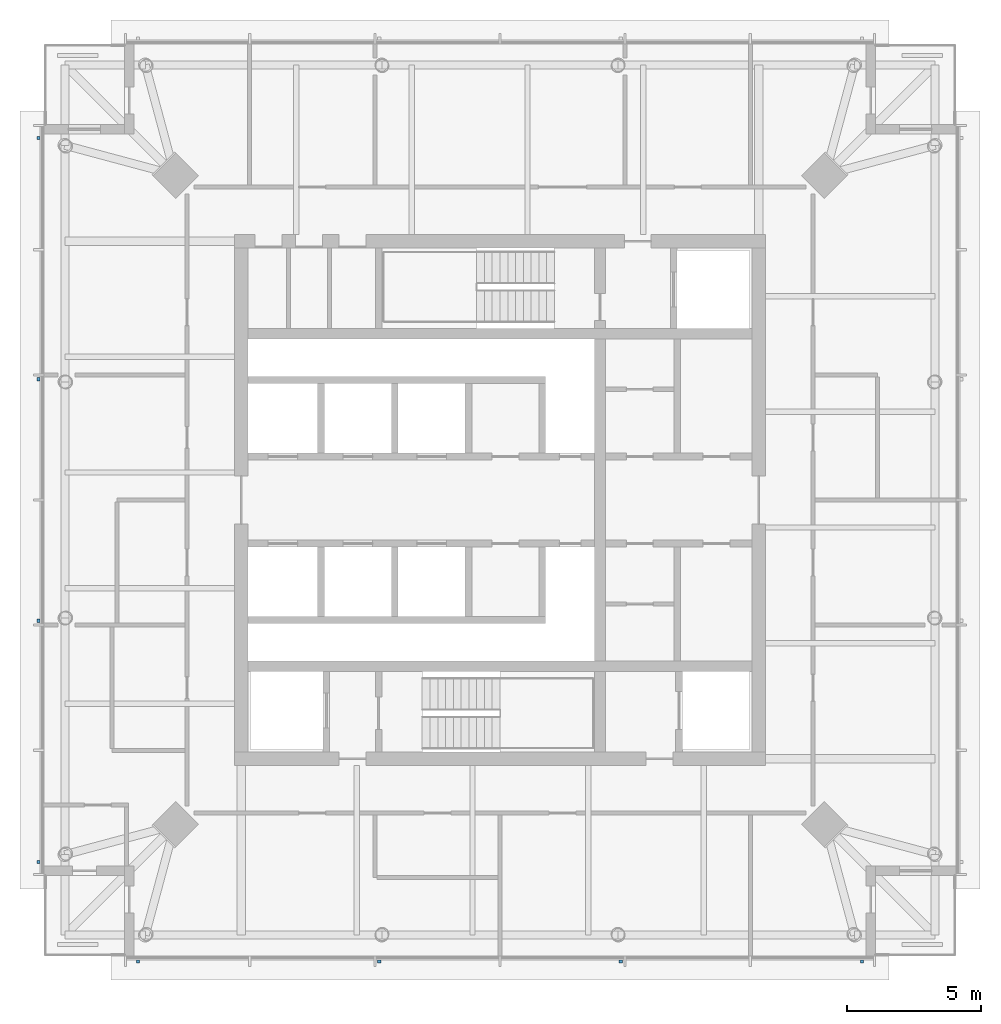
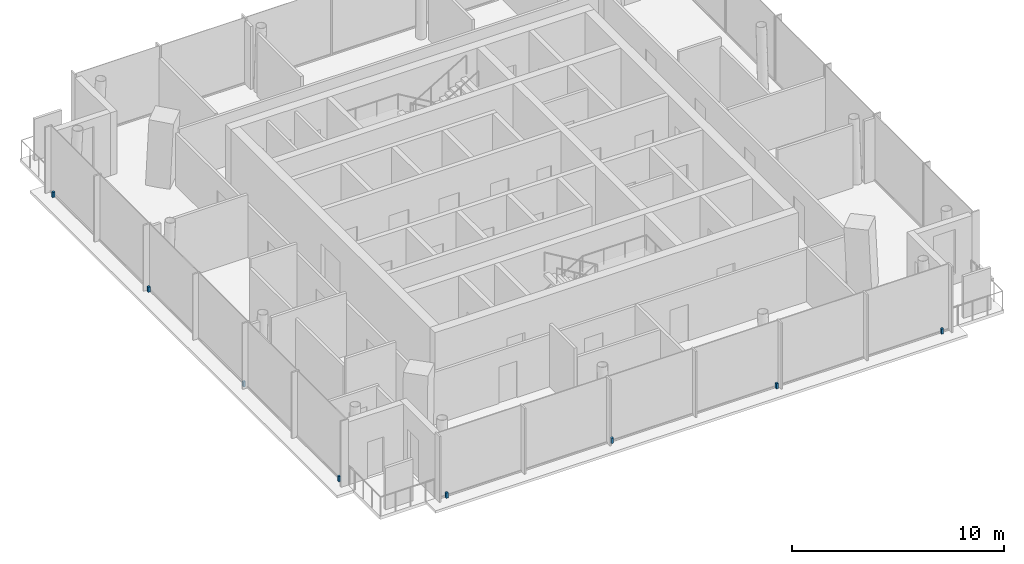
# One storey, part 7 of 9: 8 discrete accessories.
"""IFC4 building model written with IfcOpenShell, lengths in metres."""

from ifc_helpers import new_model, si_unit, direction, frame, origin, origin_2d, place, context, subcontext, project, spatial, rectangle, extrude, material, type_object, element, save


model = new_model("IFC4")

# Units and contexts
model_context = context("Model", 3, precision=1e-05, world=origin(), true_north=direction((0.0, 1.0)))
body_context = subcontext(model_context, "Body", "Model", "MODEL_VIEW")
ifc_project = project(units=[si_unit("LENGTHUNIT", "METRE"), si_unit("AREAUNIT", "SQUARE_METRE"), si_unit("VOLUMEUNIT", "CUBIC_METRE"), si_unit("PLANEANGLEUNIT", "RADIAN"), si_unit("MASSUNIT", "GRAM", prefix="KILO")], contexts=[model_context])

# Site, building, storey
site_placement = place(None, origin())
site = spatial("IfcSite", under=ifc_project, at=site_placement, CompositionType="ELEMENT")
building_placement = place(site_placement, origin())
building = spatial("IfcBuilding", under=site, at=building_placement, Name="Ostroluk Exchange", CompositionType="ELEMENT")
storey_placement = place(building_placement, frame((0.0, 0.0, 264.199951171875)))
storey = spatial("IfcBuildingStorey", under=building, at=storey_placement, Name="L68", CompositionType="ELEMENT", Elevation=264.199951171875)

# Discrete accessories
ifc_material = material(Name="Stainless steel", Category="steel")
discrete_accessory_type = type_object("IfcDiscreteAccessoryType", Name="Fall-arrest anchor PN-EN 795 type C", PredefinedType="USERDEFINED", material=ifc_material)
for number, where, z_axis, x_axis, name in (
    (1, (31.5, 28.7900390625, 0.0), (0.0, 0.0, 1.0), (1.0, 0.0, 0.0), "Fall-arrest anchor L68 south 1"),
    (2, (40.5, 28.7900390625, 0.0), (0.0, 0.0, 1.0), (1.0, 0.0, 0.0), "Fall-arrest anchor L68 south 2"),
    (3, (49.5, 28.7900390625, 0.0), (0.0, 0.0, 1.0), (1.0, 0.0, 0.0), "Fall-arrest anchor L68 south 3"),
    (4, (58.5, 28.7900390625, 0.0), (0.0, 0.0, 1.0), (1.0, 0.0, 0.0), "Fall-arrest anchor L68 south 4"),
    (5, (27.7900390625, 32.5, 0.0), (0.0, 0.0, 1.0), (1.0, 0.0, 0.0), "Fall-arrest anchor L68 west 1"),
    (6, (27.7900390625, 41.5, 0.0), (0.0, 0.0, 1.0), (1.0, 0.0, 0.0), "Fall-arrest anchor L68 west 2"),
    (7, (27.7900390625, 50.5, 0.0), (0.0, 0.0, 1.0), (1.0, 0.0, 0.0), "Fall-arrest anchor L68 west 3"),
    (8, (27.7900390625, 59.5, 0.0), (0.0, 0.0, 1.0), (1.0, 0.0, 0.0), "Fall-arrest anchor L68 west 4"),
):
    element("IfcDiscreteAccessory", number, at=place(storey_placement, frame(where, z_axis=z_axis, x_axis=x_axis)), inside=storey, type_object=discrete_accessory_type, Name=name, ObjectType="FALL ARREST ANCHOR", PredefinedType="USERDEFINED", context=body_context, shape_type="SweptSolid", body=[
        extrude(rectangle(XDim=0.1201171875, YDim=0.1201171875, at=origin_2d()), origin(), (0.0, 0.0, 1.0), 0.300048828125),
    ])

save(model, "model.ifc")
